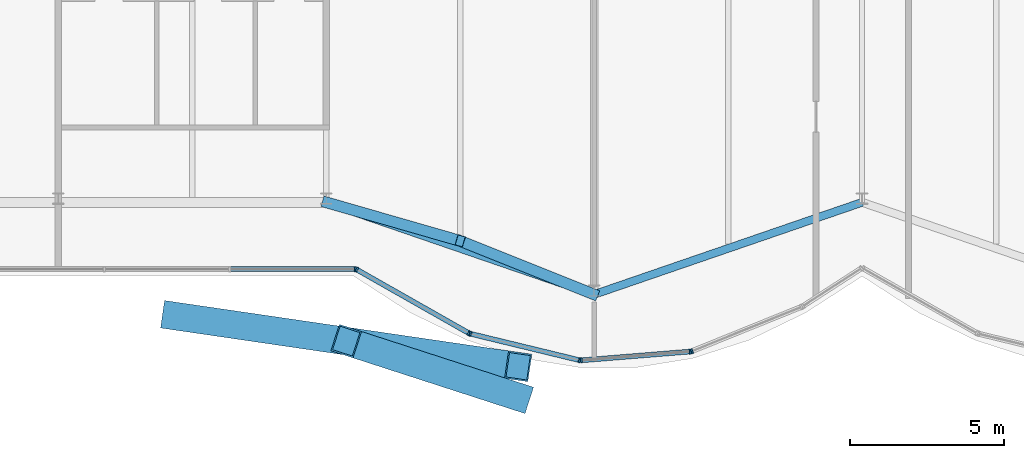
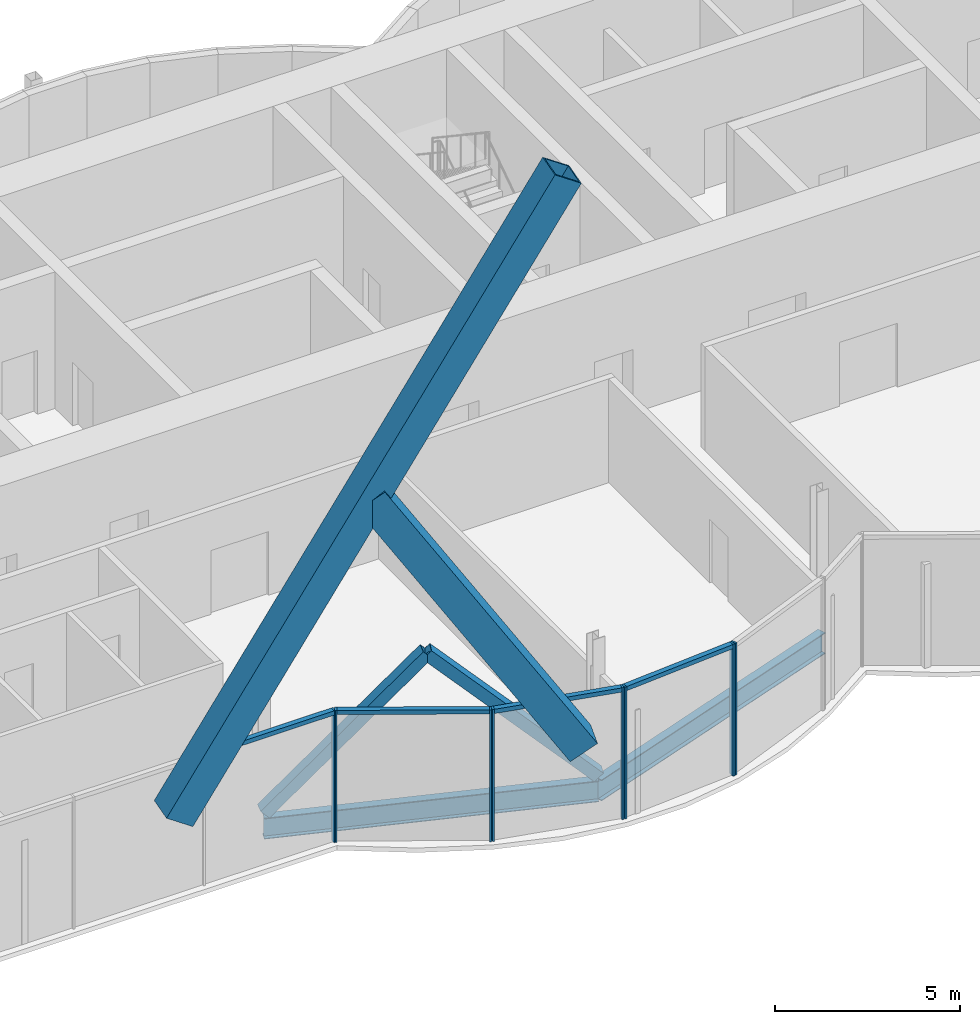
# One storey, part 6 of 20: 16 members, 2 beams, 2 elements without a shape of their own.
"""IFC4 building model written with IfcOpenShell, lengths in metres."""

from ifc_helpers import new_model, si_unit, direction, frame, origin, origin_2d, place, context, subcontext, project, spatial, rectangle, hollow_rectangle, i_section, extrude, material, material_profile, profile_set, type_object, element, aggregate, save


model = new_model("IFC4")

# Units and contexts
model_context = context("Model", 3, precision=1e-05, world=origin(), true_north=direction((0.0, 1.0)))
body_context = subcontext(model_context, "Body", "Model", "MODEL_VIEW")
ifc_project = project(units=[si_unit("LENGTHUNIT", "METRE"), si_unit("AREAUNIT", "SQUARE_METRE"), si_unit("VOLUMEUNIT", "CUBIC_METRE"), si_unit("PLANEANGLEUNIT", "RADIAN"), si_unit("MASSUNIT", "GRAM", prefix="KILO")], contexts=[model_context])

# Site, building, storey
site_placement = place(None, origin())
site = spatial("IfcSite", under=ifc_project, at=site_placement, CompositionType="ELEMENT")
building_placement = place(site_placement, origin())
building = spatial("IfcBuilding", under=site, at=building_placement, Name="Bicima Exchange Tower", CompositionType="ELEMENT")
storey_placement = place(building_placement, frame((0.0, 0.0, 306.5)))
storey = spatial("IfcBuildingStorey", under=building, at=storey_placement, Name="L69", CompositionType="ELEMENT", Elevation=306.5)

# Members
ifc_material_1 = material(Name="Steel ASTM A572 Gr 50", Category="steel")
ifc_material_profile_1 = material_profile(ifc_material_1, hollow_rectangle(XDim=0.89990234375, YDim=0.89990234375, WallThickness=0.050048828125, at=origin_2d()))
ifc_profile_set_1 = profile_set([ifc_material_profile_1], Name="Steel ASTM A572 Gr 50")
member_type_1 = type_object("IfcMemberType", Name="Exo mega brace BOX 900x900x50", PredefinedType="BRACE", material=ifc_profile_set_1)
member_1_placement = place(storey_placement, frame((-22.333251953125, -27.91748046875, 3.88330078125), z_axis=(0.51971320911, -0.076028708779, 0.850951124165), x_axis=(0.144749071587, 0.989468395794, 0.0)))
element("IfcMember", 1, at=member_1_placement, inside=storey, type_object=member_type_1, Name="Exo mega brace front", PredefinedType="BRACE", context=body_context, shape_type="SweptSolid", body=[
    extrude(hollow_rectangle(XDim=0.89990234375, YDim=0.89990234375, WallThickness=0.050048828125, at=origin_2d()), origin(), (0.0, 0.0, 1.0), 21.48583984375),
])
member_2_placement = place(storey_placement, frame((-11.166748046875, -30.54248046875, 3.88330078125), z_axis=(-0.513956425288, 0.166441964479, 0.841514031592), x_axis=(-0.30809163569, -0.951356686011, 0.0)))
element("IfcMember", 2, at=member_2_placement, inside=storey, type_object=member_type_1, Name="Exo mega brace front", PredefinedType="BRACE", context=body_context, shape_type="SweptSolid", body=[
    extrude(hollow_rectangle(XDim=0.89990234375, YDim=0.89990234375, WallThickness=0.050048828125, at=origin_2d()), origin(), (0.0, 0.0, 1.0), 10.86328125),
])

# Beams
ifc_material_2 = material(Name="Steel ASTM A992 Gr 50", Category="steel")
ifc_material_profile_2 = material_profile(ifc_material_2, i_section(OverallWidth=0.256591796875, OverallDepth=0.693359375, WebThickness=0.014404296875, FlangeThickness=0.023681640625, at=origin_2d()))
ifc_profile_set_2 = profile_set([ifc_material_profile_2], Name="Steel ASTM A992 Gr 50")
beam_type = type_object("IfcBeamType", Name="Front girder W27x114", PredefinedType="BEAM", material=ifc_profile_set_2)
for number, where, z_axis, x_axis, name in (
    (3, (-17.39990234375, -24.22802734375, -0.49658203125), (0.945674616091, -0.32511462668, 0.0), (0.32511462668, 0.945674616091, 0.0), "Front girder"),
    (4, (-8.699951171875, -27.218994140625, -0.49658203125), (0.945674616091, 0.32511462668, 0.0), (-0.32511462668, 0.945674616091, 0.0), "Front girder"),
):
    element("IfcBeam", number, at=place(storey_placement, frame(where, z_axis=z_axis, x_axis=x_axis)), inside=storey, type_object=beam_type, Name=name, PredefinedType="BEAM", context=body_context, shape_type="SweptSolid", body=[
        extrude(i_section(OverallWidth=0.256591796875, OverallDepth=0.693359375, WebThickness=0.014404296875, FlangeThickness=0.023681640625, at=origin_2d()), origin(), (0.0, 0.0, 1.0), 9.19970703125),
    ])

# Curtain wall, member
ifc_material_3 = material(Name="Anodised bronze aluminium", Category="aluminium")
curtain_wall_type = type_object("IfcCurtainWallType", Name="Front glass wall", PredefinedType="NOTDEFINED", material=ifc_material_3)
curtain_wall_1_placement = place(storey_placement, origin())
curtain_wall_1 = element("IfcCurtainWall", 5, at=curtain_wall_1_placement, inside=storey, type_object=curtain_wall_type, Name="Front glass wall L69 run 5", PredefinedType="NOTDEFINED")
ifc_material_profile_3 = material_profile(ifc_material_3, rectangle(XDim=0.159912109375, YDim=0.06005859375, at=origin_2d()))
ifc_profile_set_3 = profile_set([ifc_material_profile_3], Name="Anodised bronze aluminium")
member_type_2 = type_object("IfcMemberType", Name="Front glass wall mullion 60 x 160", PredefinedType="MULLION", material=ifc_profile_set_3)
member_3_placement = place(storey_placement, frame((-16.462158203125, -26.39794921875, 0.0), z_axis=(0.0, 0.0, 1.0), x_axis=(0.0, 1.0, 0.0)))
member_3 = element("IfcMember", 6, at=member_3_placement, type_object=member_type_2, Name="Front glass wall mullion 5", PredefinedType="MULLION", context=body_context, shape_type="SweptSolid", body=[
    extrude(rectangle(XDim=0.159912109375, YDim=0.06005859375, at=origin_2d()), origin(), (0.0, 0.0, 1.0), 4.35009765625),
])

# Curtain wall, members
curtain_wall_2_placement = place(storey_placement, origin())
curtain_wall_2 = element("IfcCurtainWall", 7, at=curtain_wall_2_placement, inside=storey, type_object=curtain_wall_type, Name="Front glass wall L69 run 6", PredefinedType="NOTDEFINED")
member_4_placement = place(storey_placement, frame((-16.406005859375, -26.412841796875, 0.0), z_axis=(0.0, 0.0, 1.0), x_axis=(0.493395449343, 0.869805110681, 0.0)))
member_4 = element("IfcMember", 8, at=member_4_placement, type_object=member_type_2, Name="Front glass wall mullion 1", PredefinedType="MULLION", context=body_context, shape_type="SweptSolid", body=[
    extrude(rectangle(XDim=0.159912109375, YDim=0.06005859375, at=origin_2d()), origin(), (0.0, 0.0, 1.0), 4.35009765625),
])
member_5_placement = place(storey_placement, frame((-12.7734375, -28.473388671875, 0.0), z_axis=(0.0, 0.0, 1.0), x_axis=(0.493395449343, 0.869805110681, 0.0)))
member_5 = element("IfcMember", 9, at=member_5_placement, type_object=member_type_2, Name="Front glass wall mullion 2", PredefinedType="MULLION", context=body_context, shape_type="SweptSolid", body=[
    extrude(rectangle(XDim=0.159912109375, YDim=0.06005859375, at=origin_2d()), origin(), (0.0, 0.0, 1.0), 4.35009765625),
])
member_6_placement = place(storey_placement, frame((-12.718017578125, -28.495361328125, 0.0), z_axis=(0.0, 0.0, 1.0), x_axis=(0.235681529503, 0.971830343553, 0.0)))
member_6 = element("IfcMember", 10, at=member_6_placement, type_object=member_type_2, Name="Front glass wall mullion 1", PredefinedType="MULLION", context=body_context, shape_type="SweptSolid", body=[
    extrude(rectangle(XDim=0.159912109375, YDim=0.06005859375, at=origin_2d()), origin(), (0.0, 0.0, 1.0), 4.35009765625),
])
member_7_placement = place(storey_placement, frame((-9.177490234375, -29.35400390625, 0.0), z_axis=(0.0, 0.0, 1.0), x_axis=(0.235681529503, 0.971830343553, 0.0)))
member_7 = element("IfcMember", 11, at=member_7_placement, type_object=member_type_2, Name="Front glass wall mullion 2", PredefinedType="MULLION", context=body_context, shape_type="SweptSolid", body=[
    extrude(rectangle(XDim=0.159912109375, YDim=0.06005859375, at=origin_2d()), origin(), (0.0, 0.0, 1.0), 4.35009765625),
])
member_8_placement = place(storey_placement, frame((-9.118408203125, -29.358642578125, 0.0), z_axis=(0.0, 0.0, 1.0), x_axis=(-0.080588612633, 0.99674744821, 0.0)))
member_8 = element("IfcMember", 12, at=member_8_placement, type_object=member_type_2, Name="Front glass wall mullion 1", PredefinedType="MULLION", context=body_context, shape_type="SweptSolid", body=[
    extrude(rectangle(XDim=0.159912109375, YDim=0.06005859375, at=origin_2d()), origin(), (0.0, 0.0, 1.0), 4.35009765625),
])
member_9_placement = place(storey_placement, frame((-5.583984375, -29.07275390625, 0.0), z_axis=(0.0, 0.0, 1.0), x_axis=(-0.080588612633, 0.99674744821, 0.0)))
member_9 = element("IfcMember", 13, at=member_9_placement, type_object=member_type_2, Name="Front glass wall mullion 2", PredefinedType="MULLION", context=body_context, shape_type="SweptSolid", body=[
    extrude(rectangle(XDim=0.159912109375, YDim=0.06005859375, at=origin_2d()), origin(), (0.0, 0.0, 1.0), 4.35009765625),
])
member_10_placement = place(storey_placement, frame((-5.526123046875, -29.05908203125, 0.0), z_axis=(0.0, 0.0, 1.0), x_axis=(-0.374705304, 0.92714396679, 0.0)))
member_10 = element("IfcMember", 14, at=member_10_placement, type_object=member_type_2, Name="Front glass wall mullion 1", PredefinedType="MULLION", context=body_context, shape_type="SweptSolid", body=[
    extrude(rectangle(XDim=0.159912109375, YDim=0.06005859375, at=origin_2d()), origin(), (0.0, 0.0, 1.0), 4.35009765625),
])

# Member
ifc_material_profile_4 = material_profile(ifc_material_3, rectangle(XDim=0.159912109375, YDim=0.139892578125, at=origin_2d()))
ifc_profile_set_4 = profile_set([ifc_material_profile_4], Name="Anodised bronze aluminium")
member_type_3 = type_object("IfcMemberType", Name="Front glass wall transom 140 x 160", PredefinedType="USERDEFINED", material=ifc_profile_set_4)
member_11_placement = place(storey_placement, frame((-20.501708984375, -26.39794921875, 4.280029296875), z_axis=(1.0, 0.0, 0.0), x_axis=(0.0, 1.0, 0.0)))
member_11 = element("IfcMember", 15, at=member_11_placement, type_object=member_type_3, Name="Front glass wall transom 4.1", ObjectType="TRANSOM", PredefinedType="USERDEFINED", context=body_context, shape_type="SweptSolid", body=[
    extrude(rectangle(XDim=0.159912109375, YDim=0.139892578125, at=origin_2d()), origin(), (0.0, 0.0, 1.0), 4.009521484375),
])

aggregate(curtain_wall_1, [member_3, member_11])

member_12_placement = place(storey_placement, frame((-16.3798828125, -26.427490234375, 4.280029296875), z_axis=(0.869797371721, -0.49340909208, 0.0), x_axis=(0.49340909208, 0.869797371721, 0.0)))
member_12 = element("IfcMember", 16, at=member_12_placement, type_object=member_type_3, Name="Front glass wall transom 1.1", ObjectType="TRANSOM", PredefinedType="USERDEFINED", context=body_context, shape_type="SweptSolid", body=[
    extrude(rectangle(XDim=0.159912109375, YDim=0.139892578125, at=origin_2d()), origin(), (0.0, 0.0, 1.0), 4.1162109375),
])

member_13_placement = place(storey_placement, frame((-12.68896484375, -28.502197265625, 4.280029296875), z_axis=(0.971817951661, -0.235732621477, 0.0), x_axis=(0.235732621477, 0.971817951661, 0.0)))
member_13 = element("IfcMember", 17, at=member_13_placement, type_object=member_type_3, Name="Front glass wall transom 1.1", ObjectType="TRANSOM", PredefinedType="USERDEFINED", context=body_context, shape_type="SweptSolid", body=[
    extrude(rectangle(XDim=0.159912109375, YDim=0.139892578125, at=origin_2d()), origin(), (0.0, 0.0, 1.0), 3.58349609375),
])

member_14_placement = place(storey_placement, frame((-9.08837890625, -29.356201171875, 4.280029296875), z_axis=(0.9967456465, 0.080610893699, 0.0), x_axis=(-0.080610893699, 0.9967456465, 0.0)))
member_14 = element("IfcMember", 18, at=member_14_placement, type_object=member_type_3, Name="Front glass wall transom 1.1", ObjectType="TRANSOM", PredefinedType="USERDEFINED", context=body_context, shape_type="SweptSolid", body=[
    extrude(rectangle(XDim=0.159912109375, YDim=0.139892578125, at=origin_2d()), origin(), (0.0, 0.0, 1.0), 3.48583984375),
])

aggregate(curtain_wall_2, [member_4, member_5, member_12, member_6, member_7, member_13, member_8, member_9, member_14, member_10])

# Members
ifc_material_profile_5 = material_profile(ifc_material_1, hollow_rectangle(XDim=0.355712890625, YDim=0.355712890625, WallThickness=0.01171875, at=origin_2d()))
ifc_profile_set_5 = profile_set([ifc_material_profile_5], Name="Steel ASTM A572 Gr 50")
member_type_4 = type_object("IfcMemberType", Name="Mega brace HSS14x14x1/2", PredefinedType="BRACE", material=ifc_profile_set_5)
member_15_placement = place(storey_placement, frame((-17.39990234375, -24.22802734375, 0.0), z_axis=(0.681519101026, -0.196074923492, 0.705043501718), x_axis=(0.27648739579, 0.961017544049, 0.0)))
element("IfcMember", 19, at=member_15_placement, inside=storey, type_object=member_type_4, Name="Mega brace front", PredefinedType="BRACE", context=body_context, shape_type="SweptSolid", body=[
    extrude(hollow_rectangle(XDim=0.355712890625, YDim=0.355712890625, WallThickness=0.01171875, at=origin_2d()), origin(), (0.0, 0.0, 1.0), 6.382568359375),
])
member_16_placement = place(storey_placement, frame((-8.699951171875, -27.218994140625, 0.0), z_axis=(-0.669648363719, 0.26777666357, 0.692724135148), x_axis=(-0.371291842786, -0.928516218211, 0.0)))
element("IfcMember", 20, at=member_16_placement, inside=storey, type_object=member_type_4, Name="Mega brace front", PredefinedType="BRACE", context=body_context, shape_type="SweptSolid", body=[
    extrude(hollow_rectangle(XDim=0.355712890625, YDim=0.355712890625, WallThickness=0.01171875, at=origin_2d()), origin(), (0.0, 0.0, 1.0), 6.49609375),
])

save(model, "model.ifc")
